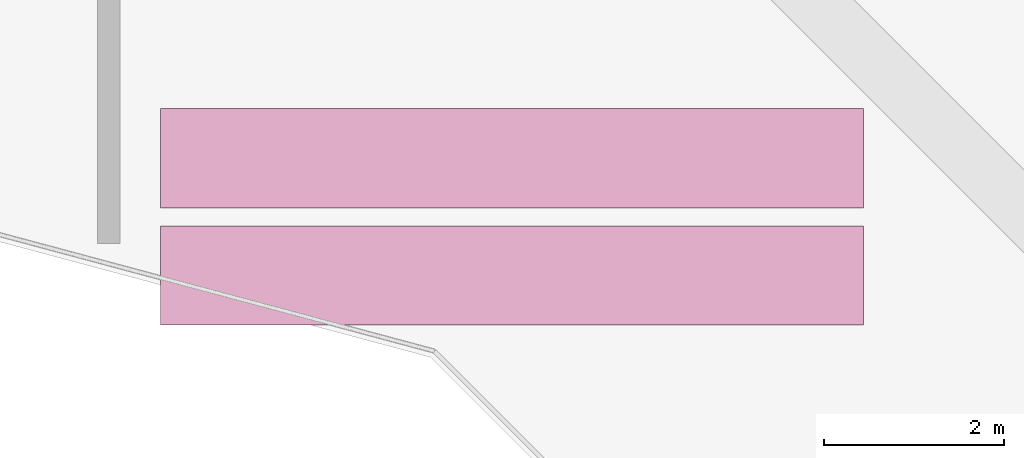
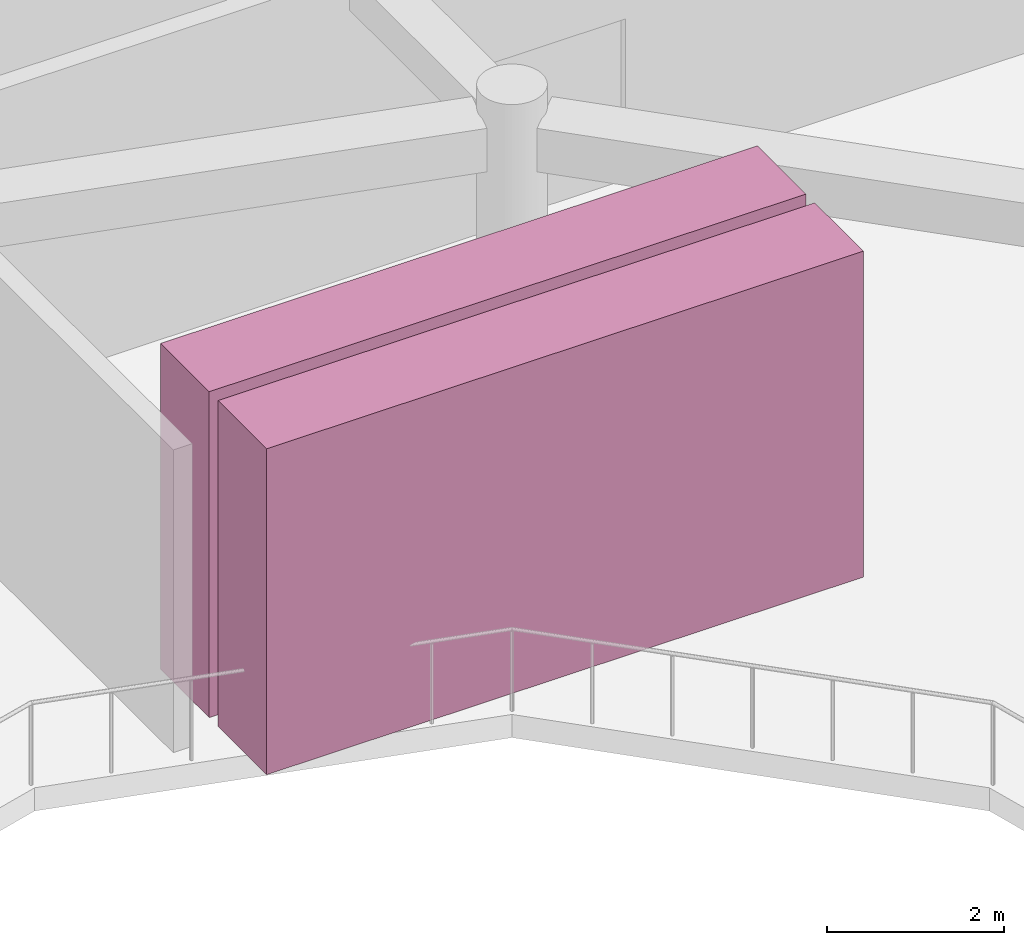
# One storey, part 121 of 121: 2 transport elements.
"""IFC4 building model written with IfcOpenShell, lengths in metres."""

import ifcopenshell
import ifcopenshell.guid

model = None  # the IFC model being written
_history = None  # IfcOwnerHistory: only IFC2X3 demands one
_inside = {}  # id of a spatial element -> (the spatial element, [elements in it])
_under = {}  # id of a project, library or spatial element -> (it, [spatial elements below it])
_declared = {}  # id of a project -> (the project, [libraries it declares])
_typed = {}  # id of a type object -> (the type object, [elements of that type])
_made_of = {}  # id of a material, layer set ... -> (it, [elements and type objects made of it])


def new_model(schema):
    """Start an empty IFC model of exactly this schema.

    Asked for "IFC4X3", IfcOpenShell would pick the latest addendum, in which some entities
    have other attributes; the version numbers below select the first issue.
    IFC2X3 requires an IfcOwnerHistory on every rooted entity: one is made here for all.
    """
    global model, _history
    if schema == "IFC4X3":
        model = ifcopenshell.file(schema_version=(4, 3, 0, 0))
    else:
        model = ifcopenshell.file(schema=schema)
    _inside.clear()
    _under.clear()
    _declared.clear()
    _typed.clear()
    _made_of.clear()
    _history = None
    if model.schema == "IFC2X3":
        org = make("IfcOrganization", Name="unknown")
        user = make(
            "IfcPersonAndOrganization",
            ThePerson=make("IfcPerson", FamilyName="unknown"),
            TheOrganization=org,
        )
        app = make(
            "IfcApplication",
            ApplicationDeveloper=org,
            Version="unknown",
            ApplicationFullName="unknown",
            ApplicationIdentifier="unknown",
        )
        _history = make(
            "IfcOwnerHistory",
            OwningUser=user,
            OwningApplication=app,
            ChangeAction="ADDED",
            CreationDate=0,
        )
    return model


def make(cls, **values):
    """One entity of the class cls with the attributes given. An attribute that is None is left unset."""
    return model.create_entity(
        cls, **{name: value for name, value in values.items() if value is not None}
    )


def rooted(cls, **values):
    """An entity with a GlobalId (a new one), such as an element, a storey or a relation."""
    return make(cls, GlobalId=ifcopenshell.guid.new(), OwnerHistory=_history, **values)


def si_unit(unit_type, name, prefix=None):
    """IfcSIUnit, for example si_unit("LENGTHUNIT", "METRE", prefix="MILLI")."""
    return make("IfcSIUnit", UnitType=unit_type, Prefix=prefix, Name=name)


def derived_unit(unit_type, elements):
    """IfcDerivedUnit: a product of units, each with its exponent."""
    return make(
        "IfcDerivedUnit",
        Elements=[
            make("IfcDerivedUnitElement", Unit=unit, Exponent=power)
            for unit, power in elements
        ],
        UnitType=unit_type,
    )


def assignment(units):
    """IfcUnitAssignment: the units of a project."""
    return None if units is None else make("IfcUnitAssignment", Units=units)


def point(xyz):
    """IfcCartesianPoint."""
    return None if xyz is None else make("IfcCartesianPoint", Coordinates=xyz)


def direction(xyz):
    """IfcDirection."""
    return None if xyz is None else make("IfcDirection", DirectionRatios=xyz)


def frame(location, z_axis=None, x_axis=None):
    """IfcAxis2Placement3D, a coordinate frame: its origin and axes. An axis left out is left unset."""
    return make(
        "IfcAxis2Placement3D",
        Location=point(location),
        Axis=direction(z_axis),
        RefDirection=direction(x_axis),
    )


def frame_2d(location, x_axis=None):
    """IfcAxis2Placement2D, a coordinate frame in the plane: its origin and x axis."""
    return make(
        "IfcAxis2Placement2D", Location=point(location), RefDirection=direction(x_axis)
    )


def origin():
    """The frame at (0, 0, 0) with its axes left unset."""
    return frame((0.0, 0.0, 0.0))


def origin_2d():
    """The frame at (0, 0) in the plane with its x axis left unset."""
    return frame_2d((0.0, 0.0))


def place(relative_to, where):
    """IfcLocalPlacement: puts the frame where relative to a parent placement (None: the world)."""
    return make(
        "IfcLocalPlacement", PlacementRelTo=relative_to, RelativePlacement=where
    )


def context(
    kind, dimensions, precision=None, world=None, true_north=None, identifier=None
):
    """IfcGeometricRepresentationContext, for example the 3D "Model" context."""
    return make(
        "IfcGeometricRepresentationContext",
        ContextIdentifier=identifier,
        ContextType=kind,
        CoordinateSpaceDimension=dimensions,
        Precision=precision,
        WorldCoordinateSystem=world,
        TrueNorth=true_north,
    )


def subcontext(parent, identifier, kind, view, scale=None):
    """IfcGeometricRepresentationSubContext, for example "Body" below "Model"."""
    return make(
        "IfcGeometricRepresentationSubContext",
        ContextIdentifier=identifier,
        ContextType=kind,
        ParentContext=parent,
        TargetScale=scale,
        TargetView=view,
    )


def project(units=None, contexts=None):
    """IfcProject with its units and contexts."""
    return rooted(
        "IfcProject",
        Name="project",
        RepresentationContexts=contexts,
        UnitsInContext=assignment(units),
    )


def spatial(cls, under=None, at=None, **own):
    """A site, building, storey or space (cls), placed at a placement, below another one or the project."""
    s = rooted(cls, ObjectPlacement=at, **own)
    if under is not None:
        _under.setdefault(under.id(), (under, []))[1].append(s)
    return s


def profile(cls, at=None, kind="AREA", **sizes):
    """A parametric profile (cls). Its sizes go by their IFC names, for example OverallWidth=200.0."""
    return make(cls, ProfileType=kind, Position=at, **sizes)


def rectangle(**sizes):
    """IfcRectangleProfileDef."""
    return profile("IfcRectangleProfileDef", **sizes)


def extrude(swept, where, along, depth):
    """IfcExtrudedAreaSolid: the profile swept, set in the frame where, extruded along a direction by depth."""
    return make(
        "IfcExtrudedAreaSolid",
        SweptArea=swept,
        Position=where,
        ExtrudedDirection=direction(along),
        Depth=depth,
    )


def shape(context_of_items, identifier, shape_type, items):
    """IfcShapeRepresentation: the items that make up one representation, for example the "Body"."""
    return make(
        "IfcShapeRepresentation",
        ContextOfItems=context_of_items,
        RepresentationIdentifier=identifier,
        RepresentationType=shape_type,
        Items=items,
    )


def material(Name=None, Category=None):
    """IfcMaterial."""
    return make("IfcMaterial", Name=Name, Category=Category)


def made_of(thing, what):
    """Note that an element or type object is made of a material, layer set ...; save() writes the relation."""
    if what is not None:
        _made_of.setdefault(what.id(), (what, []))[1].append(thing)
    return thing


def type_object(cls, material=None, **own):
    """A type object (cls), such as IfcWallType, which elements share."""
    return made_of(rooted(cls, **own), material)


def element(
    cls,
    number,
    at=None,
    inside=None,
    cuts=None,
    type_object=None,
    material=None,
    context=None,
    identifier="Body",
    shape_type=None,
    held_by="IfcProductDefinitionShape",
    body=None,
    shapes=None,
    **own,
):
    """One element of the class cls, such as IfcWall. Its Tag is "e" and its number.

    at: its placement. inside: the storey or other place that contains it. cuts: it is an
    opening in that element (IfcRelVoidsElement). A single representation is given by context,
    identifier, shape_type and body (its items); several are given by shapes. held_by: the class
    of the entity that holds the representations. save() writes the other relations.
    """
    e = rooted(cls, Tag="e%d" % number, ObjectPlacement=at, **own)
    if body is not None:
        shapes = [shape(context, identifier, shape_type, body)]
    if shapes is not None:
        e.Representation = make(held_by, Representations=shapes)
    if inside is not None:
        _inside.setdefault(inside.id(), (inside, []))[1].append(e)
    if cuts is not None:
        rooted(
            "IfcRelVoidsElement", RelatingBuildingElement=cuts, RelatedOpeningElement=e
        )
    if type_object is not None:
        _typed.setdefault(type_object.id(), (type_object, []))[1].append(e)
    return made_of(e, material)


def aggregate(whole, parts):
    """IfcRelAggregates: a whole, such as a stair, and the parts it consists of."""
    return rooted("IfcRelAggregates", RelatingObject=whole, RelatedObjects=parts)


def save(model, path):
    """Write the relations noted so far, then the file.

    IfcRelAggregates (storeys below a building ...), IfcRelContainedInSpatialStructure (elements
    in a storey), IfcRelDefinesByType, IfcRelAssociatesMaterial and IfcRelDeclares: one each for
    every whole, place, type object, material and project.
    """
    for whole, parts in _under.values():
        aggregate(whole, parts)
    for where, things in _inside.values():
        rooted(
            "IfcRelContainedInSpatialStructure",
            RelatedElements=things,
            RelatingStructure=where,
        )
    for kind, things in _typed.values():
        rooted("IfcRelDefinesByType", RelatedObjects=things, RelatingType=kind)
    for what, things in _made_of.values():
        rooted("IfcRelAssociatesMaterial", RelatedObjects=things, RelatingMaterial=what)
    for by, libraries in _declared.values():
        rooted("IfcRelDeclares", RelatingContext=by, RelatedDefinitions=libraries)
    model.write(path)


model = new_model("IFC4")

# Units and contexts
model_context = context("Model", 3, precision=1e-05, world=origin(), true_north=direction((0.0, 1.0)))
body_context = subcontext(model_context, "Body", "Model", "MODEL_VIEW")
ifc_project = project(units=[si_unit("LENGTHUNIT", "METRE"), si_unit("AREAUNIT", "SQUARE_METRE"), si_unit("VOLUMEUNIT", "CUBIC_METRE"), si_unit("PLANEANGLEUNIT", "RADIAN"), si_unit("MASSUNIT", "GRAM", prefix="KILO"), derived_unit("THERMALTRANSMITTANCEUNIT", [(si_unit("POWERUNIT", "WATT"), 1), (si_unit("LENGTHUNIT", "METRE"), -2), (si_unit("THERMODYNAMICTEMPERATUREUNIT", "KELVIN"), -1)])], contexts=[model_context])

# Site, building, storey
site_placement = place(None, origin())
site = spatial("IfcSite", under=ifc_project, at=site_placement, CompositionType="ELEMENT")
building_placement = place(site_placement, origin())
building = spatial("IfcBuilding", under=site, at=building_placement, Name="Veybourne Emporium", CompositionType="ELEMENT")
storey_placement = place(building_placement, frame((0.0, 0.0, 5.39990234375)))
storey = spatial("IfcBuildingStorey", under=building, at=storey_placement, Name="L01", CompositionType="ELEMENT", Elevation=5.39990234375)

# Transport elements
ifc_material = material(Name="Brushed Stainless Steel", Category="steel")
transport_element_type = type_object("IfcTransportElementType", Name="Escalator_ESC-01", PredefinedType="ESCALATOR", material=ifc_material)
for number, where, z_axis, x_axis, name in (
    (1, (81.89990234375, 60.661865234375, 0.0), (0.0, 0.0, 1.0), (1.0, 0.0, 0.0), "Atrium criss-cross escalator ES-03 (L01 to L02)"),
    (2, (81.89990234375, 61.9619140625, 0.0), (0.0, 0.0, 1.0), (1.0, 0.0, 0.0), "Atrium criss-cross escalator ES-04 (L01 to L02)"),
):
    element("IfcTransportElement", number, at=place(storey_placement, frame(where, z_axis=z_axis, x_axis=x_axis)), inside=storey, type_object=transport_element_type, Name=name, PredefinedType="ESCALATOR", context=body_context, shape_type="SweptSolid", body=[
        extrude(rectangle(XDim=7.7939453125, YDim=1.10009765625, at=origin_2d()), origin(), (0.0, 0.0, 1.0), 4.5),
    ])

save(model, "model.ifc")
